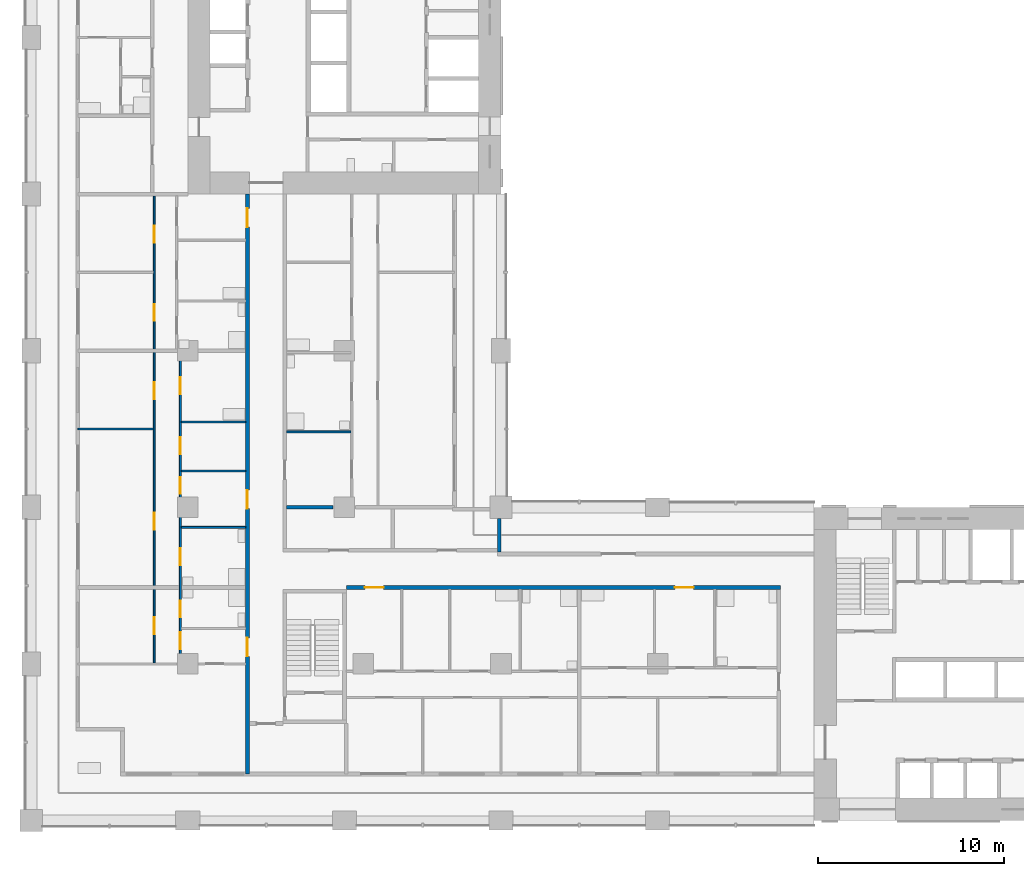
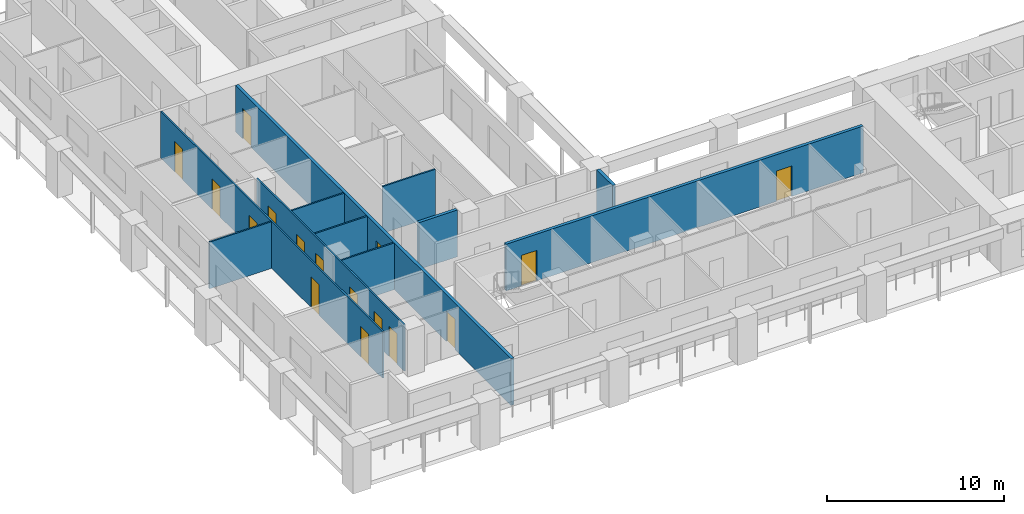
# One storey, part 3 of 17: 16 doors, 11 walls, 16 openings.
"""IFC4 building model written with IfcOpenShell, lengths in metres."""

from ifc_helpers import new_model, si_unit, direction, frame, frame_2d, origin, place, context, subcontext, project, spatial, rectangle, extrude, material, layer, layer_set, type_object, element, fill, save


model = new_model("IFC4")

# Units and contexts
model_context = context("Model", 3, precision=1e-05, world=origin(), true_north=direction((0.0, 1.0)))
body_context = subcontext(model_context, "Body", "Model", "MODEL_VIEW")
ifc_project = project(units=[si_unit("LENGTHUNIT", "METRE"), si_unit("AREAUNIT", "SQUARE_METRE"), si_unit("VOLUMEUNIT", "CUBIC_METRE"), si_unit("PLANEANGLEUNIT", "RADIAN"), si_unit("MASSUNIT", "GRAM", prefix="KILO")], contexts=[model_context])

# Site, building, storey
site_placement = place(None, origin())
site = spatial("IfcSite", under=ifc_project, at=site_placement, CompositionType="ELEMENT")
building_placement = place(site_placement, origin())
building = spatial("IfcBuilding", under=site, at=building_placement, Name="Vermilion Gate Residences", CompositionType="ELEMENT")
storey_placement = place(building_placement, frame((0.0, 0.0, 116.199951171875)))
storey = spatial("IfcBuildingStorey", under=building, at=storey_placement, Name="L29", CompositionType="ELEMENT", Elevation=116.199951171875)

# Walls
ifc_material_1 = material(Name="Insulated steel stud wall with terracotta rainscreen", Category="masonry")
ifc_layer_1 = layer(ifc_material_1, 0.199951171875)
ifc_layer_set_1 = layer_set([ifc_layer_1], Name="EXTERNAL WALL 200 TERRACOTTA RAINSCREEN")
wall_type_1 = type_object("IfcWallType", Name="EXTERNAL WALL 200 TERRACOTTA RAINSCREEN", PredefinedType="SOLIDWALL", material=ifc_layer_set_1)
wall_1_placement = place(storey_placement, frame((25.10009765625, 22.800048828125, 0.0), z_axis=(0.0, 0.0, 1.0), x_axis=(0.0, 1.0, 0.0)))
element("IfcWall", 1, at=wall_1_placement, inside=storey, type_object=wall_type_1, Name="External wall", PredefinedType="SOLIDWALL", context=body_context, shape_type="SweptSolid", body=[
    extrude(rectangle(XDim=1.800048828125, YDim=0.199951171875, at=frame_2d((0.89990234375, 0.0))), origin(), (0.0, 0.0, 1.0), 3.219970703125),
])
ifc_material_2 = material(Name="Plasterboard on steel studs", Category="steel")
ifc_layer_2 = layer(ifc_material_2, 0.10009765625)
ifc_layer_set_2 = layer_set([ifc_layer_2], Name="PARTITION 100")
wall_type_2 = type_object("IfcWallType", Name="PARTITION 100", PredefinedType="PARTITIONING", material=ifc_layer_set_2)
for number, where, z_axis, x_axis, name in (
    (2, (8.050048828125, 24.125, 0.0), (0.0, 0.0, 1.0), (1.0, 0.0, 0.0), "Partition"),
    (3, (8.050048828125, 27.14990234375, 0.0), (0.0, 0.0, 1.0), (1.0, 0.0, 0.0), "Partition"),
    (4, (13.699951171875, 29.25, 0.0), (0.0, 0.0, 1.0), (1.0, 0.0, 0.0), "Partition"),
):
    element("IfcWall", number, at=place(storey_placement, frame(where, z_axis=z_axis, x_axis=x_axis)), inside=storey, type_object=wall_type_2, Name=name, PredefinedType="PARTITIONING", context=body_context, shape_type="SweptSolid", body=[
        extrude(rectangle(XDim=3.449951171875, YDim=0.10009765625, at=frame_2d((1.72509765625, 0.0))), origin(), (0.0, 0.0, 1.0), 3.219970703125),
    ])
wall_2_placement = place(storey_placement, frame((2.5, 29.39990234375, 0.0), z_axis=(0.0, 0.0, 1.0), x_axis=(1.0, 0.0, 0.0)))
element("IfcWall", 5, at=wall_2_placement, inside=storey, type_object=wall_type_2, Name="Partition", PredefinedType="PARTITIONING", context=body_context, shape_type="SweptSolid", body=[
    extrude(rectangle(XDim=4.050048828125, YDim=0.10009765625, at=frame_2d((2.02490234375, 0.0))), origin(), (0.0, 0.0, 1.0), 3.219970703125),
])
wall_3_placement = place(storey_placement, frame((8.050048828125, 29.77490234375, 0.0), z_axis=(0.0, 0.0, 1.0), x_axis=(1.0, 0.0, 0.0)))
element("IfcWall", 6, at=wall_3_placement, inside=storey, type_object=wall_type_2, Name="Partition", PredefinedType="PARTITIONING", context=body_context, shape_type="SweptSolid", body=[
    extrude(rectangle(XDim=3.449951171875, YDim=0.10009765625, at=frame_2d((1.72509765625, 0.0))), origin(), (0.0, 0.0, 1.0), 3.219970703125),
])

# Wall, openings, doors
wall_4_placement = place(storey_placement, frame((6.60009765625, 16.85009765625, 0.0), z_axis=(0.0, 0.0, 1.0), x_axis=(0.0, 1.0, 0.0)))
wall_4 = element("IfcWall", 7, at=wall_4_placement, inside=storey, type_object=wall_type_2, Name="Partition", PredefinedType="PARTITIONING", context=body_context, shape_type="SweptSolid", body=[
    extrude(rectangle(XDim=25.0498046875, YDim=0.10009765625, at=frame_2d((12.52490234375, 0.0))), origin(), (0.0, 0.0, 1.0), 3.219970703125),
])
opening_1_placement = place(wall_4_placement, frame((1.550048828125, 0.0, 0.0)))
opening_1 = element("IfcOpeningElement", 8, at=opening_1_placement, cuts=wall_4, Name="Opening DA28024", PredefinedType="OPENING", context=body_context, shape_type="SweptSolid", body=[
    extrude(rectangle(XDim=0.89990234375, YDim=2.10009765625, at=frame_2d((0.449951171875, 1.050048828125))), frame((0.0, 0.06005859375, 0.0), z_axis=(0.0, -1.0, 0.0), x_axis=(1.0, 0.0, 0.0)), (0.0, 0.0, 1.0), 0.1201171875),
])
opening_2_placement = place(wall_4_placement, frame((7.14990234375, 0.0, 0.0)))
opening_2 = element("IfcOpeningElement", 9, at=opening_2_placement, cuts=wall_4, Name="Opening DA28025", PredefinedType="OPENING", context=body_context, shape_type="SweptSolid", body=[
    extrude(rectangle(XDim=0.89990234375, YDim=2.10009765625, at=frame_2d((0.449951171875, 1.050048828125))), frame((0.0, 0.06005859375, 0.0), z_axis=(0.0, -1.0, 0.0), x_axis=(1.0, 0.0, 0.0)), (0.0, 0.0, 1.0), 0.1201171875),
])
opening_3_placement = place(wall_4_placement, frame((14.14990234375, 0.0, 0.0)))
opening_3 = element("IfcOpeningElement", 10, at=opening_3_placement, cuts=wall_4, Name="Opening DA28026", PredefinedType="OPENING", context=body_context, shape_type="SweptSolid", body=[
    extrude(rectangle(XDim=0.89990234375, YDim=2.10009765625, at=frame_2d((0.449951171875, 1.050048828125))), frame((0.0, 0.06005859375, 0.0), z_axis=(0.0, -1.0, 0.0), x_axis=(1.0, 0.0, 0.0)), (0.0, 0.0, 1.0), 0.1201171875),
])
opening_4_placement = place(wall_4_placement, frame((18.35009765625, 0.0, 0.0)))
opening_4 = element("IfcOpeningElement", 11, at=opening_4_placement, cuts=wall_4, Name="Opening DA28027", PredefinedType="OPENING", context=body_context, shape_type="SweptSolid", body=[
    extrude(rectangle(XDim=0.89990234375, YDim=2.10009765625, at=frame_2d((0.449951171875, 1.050048828125))), frame((0.0, 0.06005859375, 0.0), z_axis=(0.0, -1.0, 0.0), x_axis=(1.0, 0.0, 0.0)), (0.0, 0.0, 1.0), 0.1201171875),
])
opening_5_placement = place(wall_4_placement, frame((22.550048828125, 0.0, 0.0)))
opening_5 = element("IfcOpeningElement", 12, at=opening_5_placement, cuts=wall_4, Name="Opening DA28028", PredefinedType="OPENING", context=body_context, shape_type="SweptSolid", body=[
    extrude(rectangle(XDim=0.89990234375, YDim=2.10009765625, at=frame_2d((0.449951171875, 1.050048828125))), frame((0.0, 0.06005859375, 0.0), z_axis=(0.0, -1.0, 0.0), x_axis=(1.0, 0.0, 0.0)), (0.0, 0.0, 1.0), 0.1201171875),
])
ifc_material_3 = material(Name="Timber", Category="wood")
door_type_1 = type_object("IfcDoorType", Name="INTERIOR DOOR 900 X 2100", OperationType="SINGLE_SWING_LEFT", PredefinedType="DOOR", material=ifc_material_3)
door_1_placement = place(opening_1_placement, origin())
door_1 = element("IfcDoor", 13, at=door_1_placement, inside=storey, type_object=door_type_1, Name="Interior door", OperationType="SINGLE_SWING_RIGHT", OverallHeight=2.10009765625, OverallWidth=0.89990234375, PredefinedType="DOOR", context=body_context, shape_type="SweptSolid", body=[
    extrude(rectangle(XDim=0.89990234375, YDim=2.10009765625, at=frame_2d((0.449951171875, 1.050048828125))), frame((0.0, 0.02490234375, 0.0), z_axis=(0.0, -1.0, 0.0), x_axis=(1.0, 0.0, 0.0)), (0.0, 0.0, 1.0), 0.050048828125),
])
fill(opening_1, door_1)
door_2_placement = place(opening_2_placement, origin())
door_2 = element("IfcDoor", 14, at=door_2_placement, inside=storey, type_object=door_type_1, Name="Interior door", OperationType="SINGLE_SWING_LEFT", OverallHeight=2.10009765625, OverallWidth=0.89990234375, PredefinedType="DOOR", context=body_context, shape_type="SweptSolid", body=[
    extrude(rectangle(XDim=0.89990234375, YDim=2.10009765625, at=frame_2d((0.449951171875, 1.050048828125))), frame((0.0, 0.02490234375, 0.0), z_axis=(0.0, -1.0, 0.0), x_axis=(1.0, 0.0, 0.0)), (0.0, 0.0, 1.0), 0.050048828125),
])
fill(opening_2, door_2)
door_3_placement = place(opening_3_placement, origin())
door_3 = element("IfcDoor", 15, at=door_3_placement, inside=storey, type_object=door_type_1, Name="Interior door", OperationType="SINGLE_SWING_LEFT", OverallHeight=2.10009765625, OverallWidth=0.89990234375, PredefinedType="DOOR", context=body_context, shape_type="SweptSolid", body=[
    extrude(rectangle(XDim=0.89990234375, YDim=2.10009765625, at=frame_2d((0.449951171875, 1.050048828125))), frame((0.0, 0.02490234375, 0.0), z_axis=(0.0, -1.0, 0.0), x_axis=(1.0, 0.0, 0.0)), (0.0, 0.0, 1.0), 0.050048828125),
])
fill(opening_3, door_3)
door_4_placement = place(opening_4_placement, origin())
door_4 = element("IfcDoor", 16, at=door_4_placement, inside=storey, type_object=door_type_1, Name="Interior door", OperationType="SINGLE_SWING_LEFT", OverallHeight=2.10009765625, OverallWidth=0.89990234375, PredefinedType="DOOR", context=body_context, shape_type="SweptSolid", body=[
    extrude(rectangle(XDim=0.89990234375, YDim=2.10009765625, at=frame_2d((0.449951171875, 1.050048828125))), frame((0.0, 0.02490234375, 0.0), z_axis=(0.0, -1.0, 0.0), x_axis=(1.0, 0.0, 0.0)), (0.0, 0.0, 1.0), 0.050048828125),
])
fill(opening_4, door_4)
door_5_placement = place(opening_5_placement, origin())
door_5 = element("IfcDoor", 17, at=door_5_placement, inside=storey, type_object=door_type_1, Name="Interior door", OperationType="SINGLE_SWING_LEFT", OverallHeight=2.10009765625, OverallWidth=0.89990234375, PredefinedType="DOOR", context=body_context, shape_type="SweptSolid", body=[
    extrude(rectangle(XDim=0.89990234375, YDim=2.10009765625, at=frame_2d((0.449951171875, 1.050048828125))), frame((0.0, 0.02490234375, 0.0), z_axis=(0.0, -1.0, 0.0), x_axis=(1.0, 0.0, 0.0)), (0.0, 0.0, 1.0), 0.050048828125),
])
fill(opening_5, door_5)

wall_5_placement = place(storey_placement, frame((8.0, 16.85009765625, 0.0), z_axis=(0.0, 0.0, 1.0), x_axis=(0.0, 1.0, 0.0)))
wall_5 = element("IfcWall", 18, at=wall_5_placement, inside=storey, type_object=wall_type_2, Name="Partition", PredefinedType="PARTITIONING", context=body_context, shape_type="SweptSolid", body=[
    extrude(rectangle(XDim=16.64990234375, YDim=0.10009765625, at=frame_2d((8.324951171875, 0.0))), origin(), (0.0, 0.0, 1.0), 3.219970703125),
])
opening_6_placement = place(wall_5_placement, frame((0.75, 0.0, 0.0)))
opening_6 = element("IfcOpeningElement", 19, at=opening_6_placement, cuts=wall_5, Name="Opening DA28032", PredefinedType="OPENING", context=body_context, shape_type="SweptSolid", body=[
    extrude(rectangle(XDim=0.89990234375, YDim=2.10009765625, at=frame_2d((0.449951171875, 1.050048828125))), frame((0.0, 0.06005859375, 0.0), z_axis=(0.0, -1.0, 0.0), x_axis=(1.0, 0.0, 0.0)), (0.0, 0.0, 1.0), 0.1201171875),
])
opening_7_placement = place(wall_5_placement, frame((2.449951171875, 0.0, 0.0)))
opening_7 = element("IfcOpeningElement", 20, at=opening_7_placement, cuts=wall_5, Name="Opening DA28033", PredefinedType="OPENING", context=body_context, shape_type="SweptSolid", body=[
    extrude(rectangle(XDim=0.89990234375, YDim=2.10009765625, at=frame_2d((0.449951171875, 1.050048828125))), frame((0.0, 0.06005859375, 0.0), z_axis=(0.0, -1.0, 0.0), x_axis=(1.0, 0.0, 0.0)), (0.0, 0.0, 1.0), 0.1201171875),
])
opening_8_placement = place(wall_5_placement, frame((9.074951171875, 0.0, 0.0)))
opening_8 = element("IfcOpeningElement", 21, at=opening_8_placement, cuts=wall_5, Name="Opening DA28034", PredefinedType="OPENING", context=body_context, shape_type="SweptSolid", body=[
    extrude(rectangle(XDim=0.89990234375, YDim=2.10009765625, at=frame_2d((0.449951171875, 1.050048828125))), frame((0.0, 0.06005859375, 0.0), z_axis=(0.0, -1.0, 0.0), x_axis=(1.0, 0.0, 0.0)), (0.0, 0.0, 1.0), 0.1201171875),
])
opening_9_placement = place(wall_5_placement, frame((5.25, 0.0, 0.0)))
opening_9 = element("IfcOpeningElement", 22, at=opening_9_placement, cuts=wall_5, Name="Opening DA28035", PredefinedType="OPENING", context=body_context, shape_type="SweptSolid", body=[
    extrude(rectangle(XDim=0.89990234375, YDim=2.10009765625, at=frame_2d((0.449951171875, 1.050048828125))), frame((0.0, 0.06005859375, 0.0), z_axis=(0.0, -1.0, 0.0), x_axis=(1.0, 0.0, 0.0)), (0.0, 0.0, 1.0), 0.1201171875),
])
opening_10_placement = place(wall_5_placement, frame((11.199951171875, 0.0, 0.0)))
opening_10 = element("IfcOpeningElement", 23, at=opening_10_placement, cuts=wall_5, Name="Opening DA28036", PredefinedType="OPENING", context=body_context, shape_type="SweptSolid", body=[
    extrude(rectangle(XDim=0.89990234375, YDim=2.10009765625, at=frame_2d((0.449951171875, 1.050048828125))), frame((0.0, 0.06005859375, 0.0), z_axis=(0.0, -1.0, 0.0), x_axis=(1.0, 0.0, 0.0)), (0.0, 0.0, 1.0), 0.1201171875),
])
opening_11_placement = place(wall_5_placement, frame((14.425048828125, 0.0, 0.0)))
opening_11 = element("IfcOpeningElement", 24, at=opening_11_placement, cuts=wall_5, Name="Opening DA28037", PredefinedType="OPENING", context=body_context, shape_type="SweptSolid", body=[
    extrude(rectangle(XDim=0.89990234375, YDim=2.10009765625, at=frame_2d((0.449951171875, 1.050048828125))), frame((0.0, 0.06005859375, 0.0), z_axis=(0.0, -1.0, 0.0), x_axis=(1.0, 0.0, 0.0)), (0.0, 0.0, 1.0), 0.1201171875),
])
door_6_placement = place(opening_6_placement, origin())
door_6 = element("IfcDoor", 25, at=door_6_placement, inside=storey, type_object=door_type_1, Name="Interior door", OperationType="SINGLE_SWING_RIGHT", OverallHeight=2.10009765625, OverallWidth=0.89990234375, PredefinedType="DOOR", context=body_context, shape_type="SweptSolid", body=[
    extrude(rectangle(XDim=0.89990234375, YDim=2.10009765625, at=frame_2d((0.449951171875, 1.050048828125))), frame((0.0, 0.02490234375, 0.0), z_axis=(0.0, -1.0, 0.0), x_axis=(1.0, 0.0, 0.0)), (0.0, 0.0, 1.0), 0.050048828125),
])
fill(opening_6, door_6)
door_7_placement = place(opening_7_placement, frame((0.89990234375, 0.0, 0.0), z_axis=(0.0, 0.0, 1.0), x_axis=(-1.0, 0.0, 0.0)))
door_7 = element("IfcDoor", 26, at=door_7_placement, inside=storey, type_object=door_type_1, Name="Interior door", OperationType="SINGLE_SWING_LEFT", OverallHeight=2.10009765625, OverallWidth=0.89990234375, PredefinedType="DOOR", context=body_context, shape_type="SweptSolid", body=[
    extrude(rectangle(XDim=0.89990234375, YDim=2.10009765625, at=frame_2d((0.449951171875, 1.050048828125))), frame((0.0, 0.02490234375, 0.0), z_axis=(0.0, -1.0, 0.0), x_axis=(1.0, 0.0, 0.0)), (0.0, 0.0, 1.0), 0.050048828125),
])
fill(opening_7, door_7)
door_8_placement = place(opening_8_placement, frame((0.89990234375, 0.0, 0.0), z_axis=(0.0, 0.0, 1.0), x_axis=(-1.0, 0.0, 0.0)))
door_8 = element("IfcDoor", 27, at=door_8_placement, inside=storey, type_object=door_type_1, Name="Interior door", OperationType="SINGLE_SWING_RIGHT", OverallHeight=2.10009765625, OverallWidth=0.89990234375, PredefinedType="DOOR", context=body_context, shape_type="SweptSolid", body=[
    extrude(rectangle(XDim=0.89990234375, YDim=2.10009765625, at=frame_2d((0.449951171875, 1.050048828125))), frame((0.0, 0.02490234375, 0.0), z_axis=(0.0, -1.0, 0.0), x_axis=(1.0, 0.0, 0.0)), (0.0, 0.0, 1.0), 0.050048828125),
])
fill(opening_8, door_8)
door_9_placement = place(opening_9_placement, frame((0.89990234375, 0.0, 0.0), z_axis=(0.0, 0.0, 1.0), x_axis=(-1.0, 0.0, 0.0)))
door_9 = element("IfcDoor", 28, at=door_9_placement, inside=storey, type_object=door_type_1, Name="Interior door", OperationType="SINGLE_SWING_RIGHT", OverallHeight=2.10009765625, OverallWidth=0.89990234375, PredefinedType="DOOR", context=body_context, shape_type="SweptSolid", body=[
    extrude(rectangle(XDim=0.89990234375, YDim=2.10009765625, at=frame_2d((0.449951171875, 1.050048828125))), frame((0.0, 0.02490234375, 0.0), z_axis=(0.0, -1.0, 0.0), x_axis=(1.0, 0.0, 0.0)), (0.0, 0.0, 1.0), 0.050048828125),
])
fill(opening_9, door_9)
door_10_placement = place(opening_10_placement, frame((0.89990234375, 0.0, 0.0), z_axis=(0.0, 0.0, 1.0), x_axis=(-1.0, 0.0, 0.0)))
door_10 = element("IfcDoor", 29, at=door_10_placement, inside=storey, type_object=door_type_1, Name="Interior door", OperationType="SINGLE_SWING_LEFT", OverallHeight=2.10009765625, OverallWidth=0.89990234375, PredefinedType="DOOR", context=body_context, shape_type="SweptSolid", body=[
    extrude(rectangle(XDim=0.89990234375, YDim=2.10009765625, at=frame_2d((0.449951171875, 1.050048828125))), frame((0.0, 0.02490234375, 0.0), z_axis=(0.0, -1.0, 0.0), x_axis=(1.0, 0.0, 0.0)), (0.0, 0.0, 1.0), 0.050048828125),
])
fill(opening_10, door_10)
door_11_placement = place(opening_11_placement, frame((0.89990234375, 0.0, 0.0), z_axis=(0.0, 0.0, 1.0), x_axis=(-1.0, 0.0, 0.0)))
door_11 = element("IfcDoor", 30, at=door_11_placement, inside=storey, type_object=door_type_1, Name="Interior door", OperationType="SINGLE_SWING_LEFT", OverallHeight=2.10009765625, OverallWidth=0.89990234375, PredefinedType="DOOR", context=body_context, shape_type="SweptSolid", body=[
    extrude(rectangle(XDim=0.89990234375, YDim=2.10009765625, at=frame_2d((0.449951171875, 1.050048828125))), frame((0.0, 0.02490234375, 0.0), z_axis=(0.0, -1.0, 0.0), x_axis=(1.0, 0.0, 0.0)), (0.0, 0.0, 1.0), 0.050048828125),
])
fill(opening_11, door_11)

ifc_material_4 = material(Name="Fire-rated plasterboard on steel studs", Category="steel")
ifc_layer_3 = layer(ifc_material_4, 0.199951171875)
ifc_layer_set_3 = layer_set([ifc_layer_3], Name="PARTY WALL 200 EI 120")
wall_type_3 = type_object("IfcWallType", Name="PARTY WALL 200 EI 120", PredefinedType="PARTITIONING", material=ifc_layer_set_3)
wall_6_placement = place(storey_placement, frame((16.89990234375, 20.89990234375, 0.0), z_axis=(0.0, 0.0, 1.0), x_axis=(1.0, 0.0, 0.0)))
wall_6 = element("IfcWall", 31, at=wall_6_placement, inside=storey, type_object=wall_type_3, Name="Party and corridor wall", PredefinedType="PARTITIONING", context=body_context, shape_type="SweptSolid", body=[
    extrude(rectangle(XDim=23.300048828125, YDim=0.199951171875, at=frame_2d((11.64990234375, 0.0))), origin(), (0.0, 0.0, 1.0), 3.219970703125),
])
opening_12_placement = place(wall_6_placement, frame((1.0, 0.0, 0.0)))
opening_12 = element("IfcOpeningElement", 32, at=opening_12_placement, cuts=wall_6, Name="Opening DA28015", PredefinedType="OPENING", context=body_context, shape_type="SweptSolid", body=[
    extrude(rectangle(XDim=1.0, YDim=2.10009765625, at=frame_2d((0.5, 1.050048828125))), frame((0.0, 0.10986328125, 0.0), z_axis=(0.0, -1.0, 0.0), x_axis=(1.0, 0.0, 0.0)), (0.0, 0.0, 1.0), 0.219970703125),
])
opening_13_placement = place(wall_6_placement, frame((17.633056640625, 0.0, 0.0)))
opening_13 = element("IfcOpeningElement", 33, at=opening_13_placement, cuts=wall_6, Name="Opening DA28016", PredefinedType="OPENING", context=body_context, shape_type="SweptSolid", body=[
    extrude(rectangle(XDim=1.0, YDim=2.10009765625, at=frame_2d((0.5, 1.050048828125))), frame((0.0, 0.10986328125, 0.0), z_axis=(0.0, -1.0, 0.0), x_axis=(1.0, 0.0, 0.0)), (0.0, 0.0, 1.0), 0.219970703125),
])
ifc_material_5 = material(Name="Steel", Category="steel")
door_type_2 = type_object("IfcDoorType", Name="ENTRANCE DOOR 1000 X 2100 FD30", OperationType="SINGLE_SWING_LEFT", PredefinedType="DOOR", material=ifc_material_5)
door_12_placement = place(opening_12_placement, frame((1.0, 0.0, 0.0), z_axis=(0.0, 0.0, 1.0), x_axis=(-1.0, 0.0, 0.0)))
door_12 = element("IfcDoor", 34, at=door_12_placement, inside=storey, type_object=door_type_2, Name="Entrance door", OperationType="SINGLE_SWING_LEFT", OverallHeight=2.10009765625, OverallWidth=1.0, PredefinedType="DOOR", context=body_context, shape_type="SweptSolid", body=[
    extrude(rectangle(XDim=1.0, YDim=2.10009765625, at=frame_2d((0.5, 1.050048828125))), frame((0.0, 0.02490234375, 0.0), z_axis=(0.0, -1.0, 0.0), x_axis=(1.0, 0.0, 0.0)), (0.0, 0.0, 1.0), 0.050048828125),
])
fill(opening_12, door_12)
door_13_placement = place(opening_13_placement, frame((1.0, 0.0, 0.0), z_axis=(0.0, 0.0, 1.0), x_axis=(-1.0, 0.0, 0.0)))
door_13 = element("IfcDoor", 35, at=door_13_placement, inside=storey, type_object=door_type_2, Name="Entrance door", OperationType="SINGLE_SWING_RIGHT", OverallHeight=2.10009765625, OverallWidth=1.0, PredefinedType="DOOR", context=body_context, shape_type="SweptSolid", body=[
    extrude(rectangle(XDim=1.0, YDim=2.10009765625, at=frame_2d((0.5, 1.050048828125))), frame((0.0, 0.02490234375, 0.0), z_axis=(0.0, -1.0, 0.0), x_axis=(1.0, 0.0, 0.0)), (0.0, 0.0, 1.0), 0.050048828125),
])
fill(opening_13, door_13)

# Wall
wall_7_placement = place(storey_placement, frame((13.699951171875, 25.199951171875, 0.0), z_axis=(0.0, 0.0, 1.0), x_axis=(1.0, 0.0, 0.0)))
element("IfcWall", 36, at=wall_7_placement, inside=storey, type_object=wall_type_3, Name="Party and corridor wall", PredefinedType="PARTITIONING", context=body_context, shape_type="SweptSolid", body=[
    extrude(rectangle(XDim=2.5, YDim=0.199951171875, at=frame_2d((1.25, 0.0))), origin(), (0.0, 0.0, 1.0), 3.219970703125),
])

# Wall, openings, doors
wall_8_placement = place(storey_placement, frame((11.60009765625, 10.89990234375, 0.0), z_axis=(0.0, 0.0, 1.0), x_axis=(0.0, 1.0, 0.0)))
wall_8 = element("IfcWall", 37, at=wall_8_placement, inside=storey, type_object=wall_type_3, Name="Party and corridor wall", PredefinedType="PARTITIONING", context=body_context, shape_type="SweptSolid", body=[
    extrude(rectangle(XDim=31.10009765625, YDim=0.199951171875, at=frame_2d((15.550048828125, 0.0))), origin(), (0.0, 0.0, 1.0), 3.219970703125),
])
opening_14_placement = place(wall_8_placement, frame((6.300048828125, 0.0, 0.0)))
opening_14 = element("IfcOpeningElement", 38, at=opening_14_placement, cuts=wall_8, Name="Opening DA28038", PredefinedType="OPENING", context=body_context, shape_type="SweptSolid", body=[
    extrude(rectangle(XDim=1.0, YDim=2.10009765625, at=frame_2d((0.5, 1.050048828125))), frame((0.0, 0.10986328125, 0.0), z_axis=(0.0, -1.0, 0.0), x_axis=(1.0, 0.0, 0.0)), (0.0, 0.0, 1.0), 0.219970703125),
])
opening_15_placement = place(wall_8_placement, frame((14.22509765625, 0.0, 0.0)))
opening_15 = element("IfcOpeningElement", 39, at=opening_15_placement, cuts=wall_8, Name="Opening DA28039", PredefinedType="OPENING", context=body_context, shape_type="SweptSolid", body=[
    extrude(rectangle(XDim=1.0, YDim=2.10009765625, at=frame_2d((0.5, 1.050048828125))), frame((0.0, 0.10986328125, 0.0), z_axis=(0.0, -1.0, 0.0), x_axis=(1.0, 0.0, 0.0)), (0.0, 0.0, 1.0), 0.219970703125),
])
opening_16_placement = place(wall_8_placement, frame((29.3330078125, 0.0, 0.0)))
opening_16 = element("IfcOpeningElement", 40, at=opening_16_placement, cuts=wall_8, Name="Opening DA28040", PredefinedType="OPENING", context=body_context, shape_type="SweptSolid", body=[
    extrude(rectangle(XDim=1.0, YDim=2.10009765625, at=frame_2d((0.5, 1.050048828125))), frame((0.0, 0.10986328125, 0.0), z_axis=(0.0, -1.0, 0.0), x_axis=(1.0, 0.0, 0.0)), (0.0, 0.0, 1.0), 0.219970703125),
])
door_14_placement = place(opening_14_placement, origin())
door_14 = element("IfcDoor", 41, at=door_14_placement, inside=storey, type_object=door_type_2, Name="Entrance door", OperationType="SINGLE_SWING_LEFT", OverallHeight=2.10009765625, OverallWidth=1.0, PredefinedType="DOOR", context=body_context, shape_type="SweptSolid", body=[
    extrude(rectangle(XDim=1.0, YDim=2.10009765625, at=frame_2d((0.5, 1.050048828125))), frame((0.0, 0.02490234375, 0.0), z_axis=(0.0, -1.0, 0.0), x_axis=(1.0, 0.0, 0.0)), (0.0, 0.0, 1.0), 0.050048828125),
])
fill(opening_14, door_14)
door_15_placement = place(opening_15_placement, origin())
door_15 = element("IfcDoor", 42, at=door_15_placement, inside=storey, type_object=door_type_2, Name="Entrance door", OperationType="SINGLE_SWING_LEFT", OverallHeight=2.10009765625, OverallWidth=1.0, PredefinedType="DOOR", context=body_context, shape_type="SweptSolid", body=[
    extrude(rectangle(XDim=1.0, YDim=2.10009765625, at=frame_2d((0.5, 1.050048828125))), frame((0.0, 0.02490234375, 0.0), z_axis=(0.0, -1.0, 0.0), x_axis=(1.0, 0.0, 0.0)), (0.0, 0.0, 1.0), 0.050048828125),
])
fill(opening_15, door_15)
door_16_placement = place(opening_16_placement, origin())
door_16 = element("IfcDoor", 43, at=door_16_placement, inside=storey, type_object=door_type_2, Name="Entrance door", OperationType="SINGLE_SWING_LEFT", OverallHeight=2.10009765625, OverallWidth=1.0, PredefinedType="DOOR", context=body_context, shape_type="SweptSolid", body=[
    extrude(rectangle(XDim=1.0, YDim=2.10009765625, at=frame_2d((0.5, 1.050048828125))), frame((0.0, 0.02490234375, 0.0), z_axis=(0.0, -1.0, 0.0), x_axis=(1.0, 0.0, 0.0)), (0.0, 0.0, 1.0), 0.050048828125),
])
fill(opening_16, door_16)

save(model, "model.ifc")
